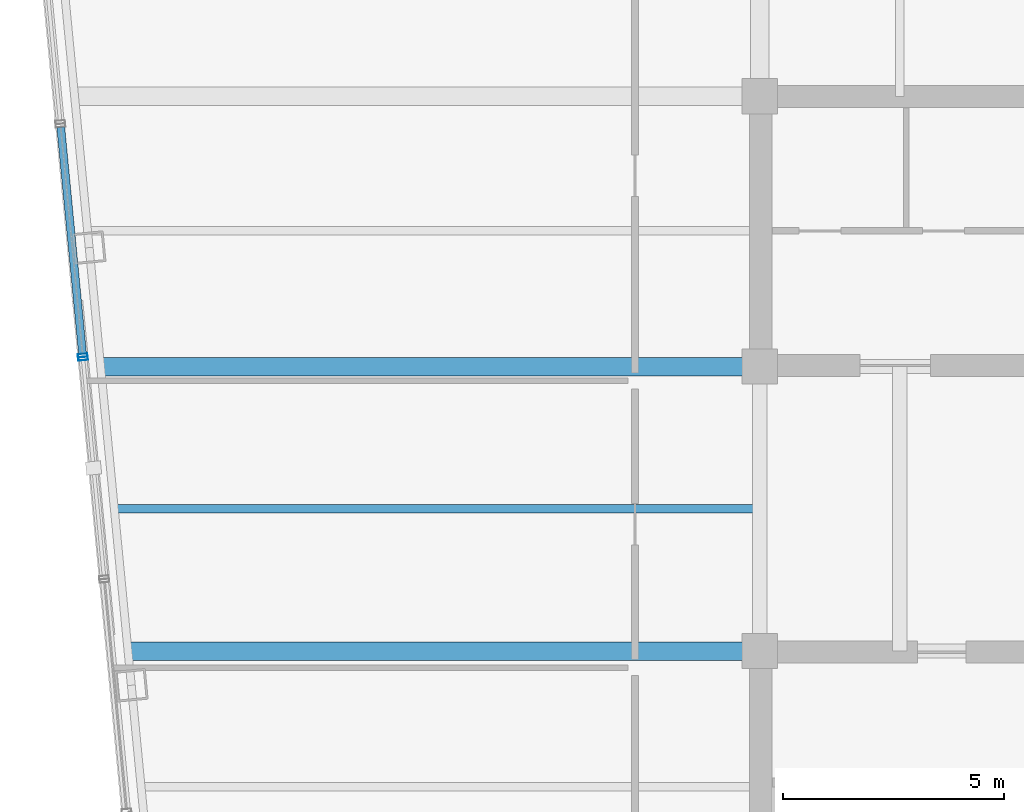
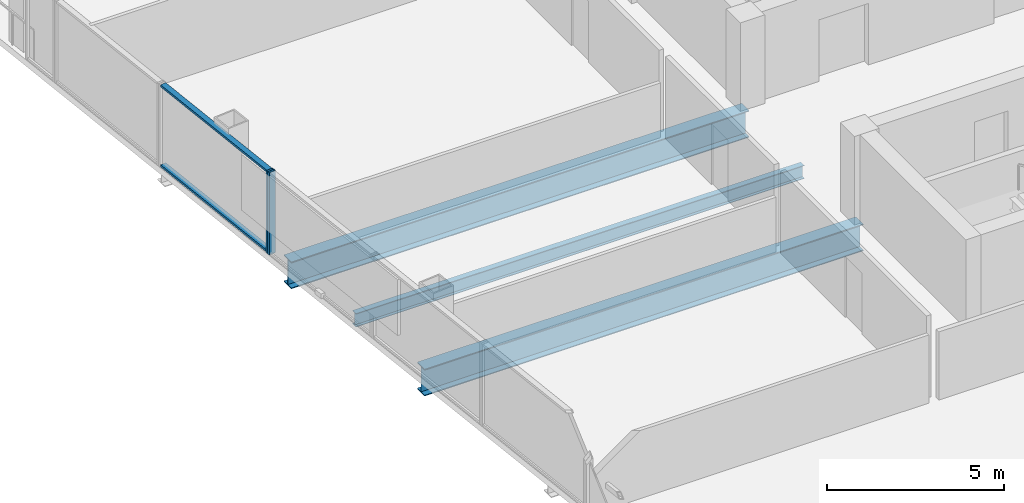
# One storey, part 10 of 29: 4 members, 3 beams, 2 elements without a shape of their own.
"""IFC4 building model written with IfcOpenShell, lengths in metres."""

from ifc_helpers import new_model, si_unit, direction, frame, origin, origin_2d, place, context, subcontext, project, spatial, hollow_rectangle, i_section, extrude, material, layer, layer_set, material_profile, profile_set, type_object, element, aggregate, save


model = new_model("IFC4")

# Units and contexts
model_context = context("Model", 3, precision=1e-05, world=origin(), true_north=direction((0.0, 1.0)))
body_context = subcontext(model_context, "Body", "Model", "MODEL_VIEW")
ifc_project = project(units=[si_unit("LENGTHUNIT", "METRE"), si_unit("AREAUNIT", "SQUARE_METRE"), si_unit("VOLUMEUNIT", "CUBIC_METRE"), si_unit("PLANEANGLEUNIT", "RADIAN"), si_unit("MASSUNIT", "GRAM", prefix="KILO")], contexts=[model_context])

# Site, building, storey
site_placement = place(None, origin())
site = spatial("IfcSite", under=ifc_project, at=site_placement, CompositionType="ELEMENT")
building_placement = place(site_placement, origin())
building = spatial("IfcBuilding", under=site, at=building_placement, Name="Qhalaya Broadcast Tower", CompositionType="ELEMENT")
storey_placement = place(building_placement, frame((0.0, 0.0, 177.5)))
storey = spatial("IfcBuildingStorey", under=building, at=storey_placement, Name="L52", CompositionType="ELEMENT", Elevation=177.5)

# Beams
ifc_material_1 = material(Name="Structural Steel ASTM A992 Grade 50", Category="steel")
ifc_material_profile_1 = material_profile(ifc_material_1, i_section(OverallWidth=0.19189453125, OverallDepth=0.462890625, WebThickness=0.010498046875, FlangeThickness=0.017578125, at=origin_2d()), Name="W18X60")
ifc_profile_set_1 = profile_set([ifc_material_profile_1], Name="Structural Steel ASTM A992 Grade 50")
beam_type_1 = type_object("IfcBeamType", Name="Composite Floor Joist J03", PredefinedType="JOIST", material=ifc_profile_set_1)
beam_1_placement = place(storey_placement, frame((-23.982421875, 0.60009765625, -0.451416015625), z_axis=(1.0, 0.0, 0.0), x_axis=(0.0, 1.0, 0.0)))
element("IfcBeam", 1, at=beam_1_placement, inside=storey, type_object=beam_type_1, Name="L52 J03 L52-JWE4W-1", PredefinedType="JOIST", context=body_context, shape_type="SweptSolid", body=[
    extrude(i_section(OverallWidth=0.19189453125, OverallDepth=0.462890625, WebThickness=0.010498046875, FlangeThickness=0.017578125, at=origin_2d()), origin(), (0.0, 0.0, 1.0), 14.607421875),
])
ifc_material_profile_2 = material_profile(ifc_material_1, i_section(OverallWidth=0.4189453125, OverallDepth=0.927001953125, WebThickness=0.019287109375, FlangeThickness=0.031982421875, at=origin_2d()), Name="W36X231")
ifc_profile_set_2 = profile_set([ifc_material_profile_2], Name="Structural Steel ASTM A992 Grade 50")
beam_type_2 = type_object("IfcBeamType", Name="Mid Block Primary Girder PG3", PredefinedType="USERDEFINED", material=ifc_profile_set_2)
beam_2_placement = place(storey_placement, frame((-23.671875, -2.625, -0.68359375), z_axis=(1.0, 0.0, 0.0), x_axis=(0.0, 1.0, 0.0)))
element("IfcBeam", 2, at=beam_2_placement, inside=storey, type_object=beam_type_2, Name="L52 PG3 L52-PGYW2-1", ObjectType="GIRDER", PredefinedType="USERDEFINED", context=body_context, shape_type="SweptSolid", body=[
    extrude(i_section(OverallWidth=0.4189453125, OverallDepth=0.927001953125, WebThickness=0.019287109375, FlangeThickness=0.031982421875, at=origin_2d()), origin(), (0.0, 0.0, 1.0), 14.296875),
])
beam_3_placement = place(storey_placement, frame((-24.29296875, 3.824951171875, -0.68359375), z_axis=(1.0, 0.0, 0.0), x_axis=(0.0, 1.0, 0.0)))
element("IfcBeam", 3, at=beam_3_placement, inside=storey, type_object=beam_type_2, Name="L52 PG3 L52-PGYW3-1", ObjectType="GIRDER", PredefinedType="USERDEFINED", context=body_context, shape_type="SweptSolid", body=[
    extrude(i_section(OverallWidth=0.4189453125, OverallDepth=0.927001953125, WebThickness=0.019287109375, FlangeThickness=0.031982421875, at=origin_2d()), origin(), (0.0, 0.0, 1.0), 14.91796875),
])

# Curtain wall, member
ifc_material_2 = material(Name="Solar-Control Low-E Triple Glazing", Category="glass")
ifc_layer_1 = layer(ifc_material_2, 0.219970703125, Name="Solar-Control Low-E Triple Glazing")
ifc_layer_set_1 = layer_set([ifc_layer_1], Name="Solar-Control Low-E Triple Glazing")
curtain_wall_type_1 = type_object("IfcCurtainWallType", Name="Even-Block 4-Storey Double-Module Curtain Wall CW-03", PredefinedType="NOTDEFINED", material=ifc_layer_set_1)
curtain_wall_1_placement = place(storey_placement, origin())
curtain_wall_1 = element("IfcCurtainWall", 4, at=curtain_wall_1_placement, inside=storey, type_object=curtain_wall_type_1, Name="L52 Unitised Curtain Wall L52-CW-W3", PredefinedType="NOTDEFINED")
ifc_material_3 = material(Name="Anodised Aluminium 6063-T6", Category="aluminium")
ifc_material_profile_3 = material_profile(ifc_material_3, hollow_rectangle(XDim=0.074951171875, YDim=0.219970703125, WallThickness=0.00390625, at=origin_2d()), Name="ALU-MUL 75x220x4")
ifc_profile_set_3 = profile_set([ifc_material_profile_3], Name="Anodised Aluminium 6063-T6")
member_type_1 = type_object("IfcMemberType", Name="Unitised Curtain-Wall Mullion M01", PredefinedType="MULLION", material=ifc_profile_set_3)
member_1_placement = place(storey_placement, frame((-24.718994140625, 4.078125, 0.0), z_axis=(0.0, 0.0, 1.0), x_axis=(0.095839772631, -0.995396774147, 0.0)))
member_1 = element("IfcMember", 5, at=member_1_placement, type_object=member_type_1, Name="CW-03 mullion 2", PredefinedType="MULLION", context=body_context, shape_type="SweptSolid", body=[
    extrude(hollow_rectangle(XDim=0.074951171875, YDim=0.219970703125, WallThickness=0.00390625, at=origin_2d()), origin(), (0.0, 0.0, 1.0), 2.830078125),
])

ifc_material_4 = material(Name="Fired Architectural Terracotta", Category="masonry")
ifc_layer_2 = layer(ifc_material_4, 0.219970703125, Name="Fired Architectural Terracotta")
ifc_layer_set_2 = layer_set([ifc_layer_2], Name="Fired Architectural Terracotta")
curtain_wall_type_2 = type_object("IfcCurtainWallType", Name="Block-Cap Unitised Terracotta Spandrel Wall CW-07", PredefinedType="NOTDEFINED", material=ifc_layer_set_2)
curtain_wall_2_placement = place(storey_placement, origin())
curtain_wall_2 = element("IfcCurtainWall", 6, at=curtain_wall_2_placement, inside=storey, type_object=curtain_wall_type_2, Name="L52 Unitised Curtain Wall L52-CW-W4", PredefinedType="NOTDEFINED")
member_2_placement = place(storey_placement, frame((-24.7119140625, 4.00341796875, 0.0), z_axis=(0.0, 0.0, 1.0), x_axis=(0.095846949325, -0.995396083127, 0.0)))
member_2 = element("IfcMember", 7, at=member_2_placement, type_object=member_type_1, Name="CW-07 mullion 1", PredefinedType="MULLION", context=body_context, shape_type="SweptSolid", body=[
    extrude(hollow_rectangle(XDim=0.074951171875, YDim=0.219970703125, WallThickness=0.00390625, at=origin_2d()), origin(), (0.0, 0.0, 1.0), 2.830078125),
])
aggregate(curtain_wall_2, [member_2])

# Member
ifc_material_profile_4 = material_profile(ifc_material_3, hollow_rectangle(XDim=0.074951171875, YDim=0.179931640625, WallThickness=0.00390625, at=origin_2d()), Name="ALU-TRN 75x180x4")
ifc_profile_set_4 = profile_set([ifc_material_profile_4], Name="Anodised Aluminium 6063-T6")
member_type_2 = type_object("IfcMemberType", Name="Unitised Curtain-Wall Transom T01", PredefinedType="USERDEFINED", material=ifc_profile_set_4)
member_3_placement = place(storey_placement, frame((-25.21728515625, 9.25244140625, 0.03759765625), z_axis=(0.09584040213, -0.995396713537, 0.0), x_axis=(0.0, 0.0, 1.0)))
member_3 = element("IfcMember", 8, at=member_3_placement, type_object=member_type_2, Name="CW-03 transom 1.1", ObjectType="TRANSOM", PredefinedType="USERDEFINED", context=body_context, shape_type="SweptSolid", body=[
    extrude(hollow_rectangle(XDim=0.074951171875, YDim=0.179931640625, WallThickness=0.00390625, at=origin_2d()), origin(), (0.0, 0.0, 1.0), 5.160888671875),
])

member_4_placement = place(storey_placement, frame((-25.21728515625, 9.25244140625, 2.79248046875), z_axis=(0.09584040213, -0.995396713537, 0.0), x_axis=(0.0, 0.0, 1.0)))
member_4 = element("IfcMember", 9, at=member_4_placement, type_object=member_type_2, Name="CW-03 transom 1.2", ObjectType="TRANSOM", PredefinedType="USERDEFINED", context=body_context, shape_type="SweptSolid", body=[
    extrude(hollow_rectangle(XDim=0.074951171875, YDim=0.179931640625, WallThickness=0.00390625, at=origin_2d()), origin(), (0.0, 0.0, 1.0), 5.160888671875),
])

aggregate(curtain_wall_1, [member_1, member_3, member_4])

save(model, "model.ifc")
